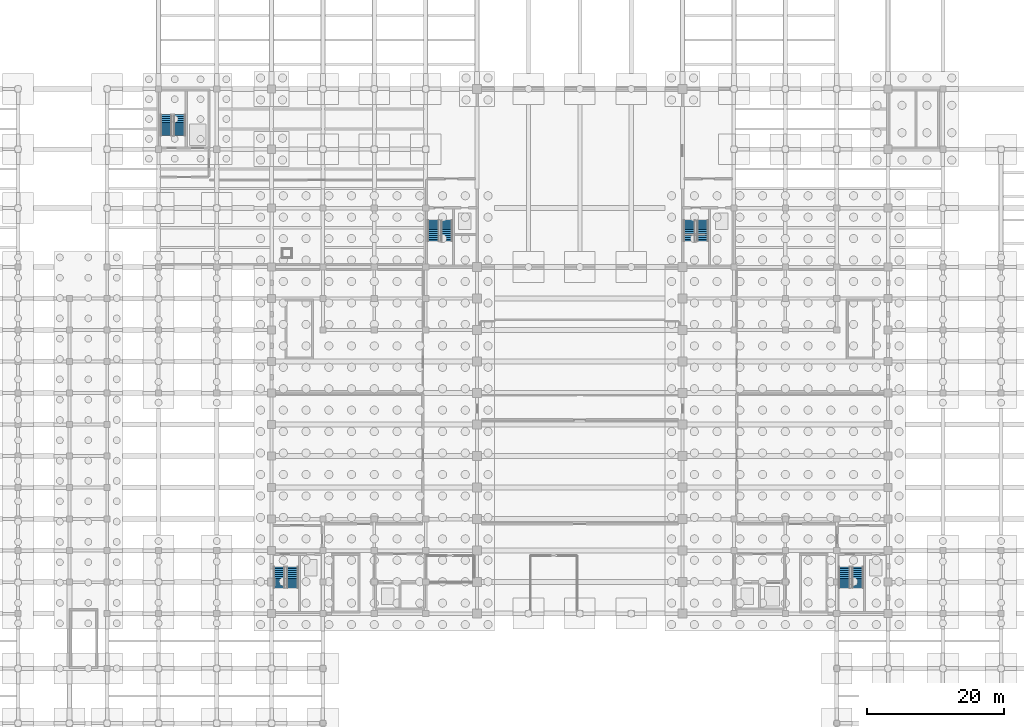
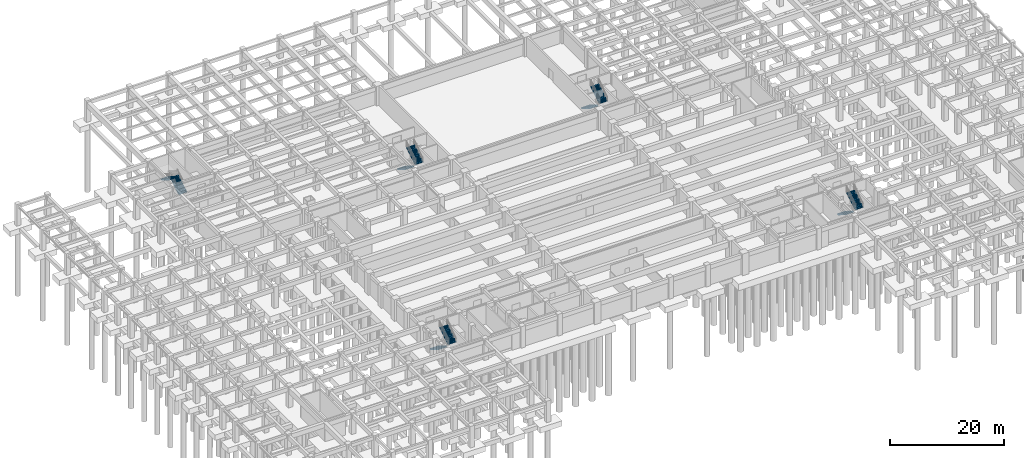
# One storey, part 27 of 32: 10 stair flights, 5 elements without a shape of their own.
"""IFC4 building model written with IfcOpenShell, lengths in metres."""

from ifc_helpers import new_model, si_unit, direction, frame, origin, place, context, subcontext, project, spatial, polyline, outline, extrude, material, type_object, element, aggregate, save


model = new_model("IFC4")

# Units and contexts
model_context = context("Model", 3, precision=1e-05, world=origin(), true_north=direction((0.0, 1.0)))
body_context = subcontext(model_context, "Body", "Model", "MODEL_VIEW")
ifc_project = project(units=[si_unit("LENGTHUNIT", "METRE"), si_unit("AREAUNIT", "SQUARE_METRE"), si_unit("VOLUMEUNIT", "CUBIC_METRE"), si_unit("PLANEANGLEUNIT", "RADIAN"), si_unit("MASSUNIT", "GRAM", prefix="KILO")], contexts=[model_context])

# Site, building, storey
site_placement = place(None, origin())
site = spatial("IfcSite", under=ifc_project, at=site_placement, CompositionType="ELEMENT")
building_placement = place(site_placement, origin())
building = spatial("IfcBuilding", under=site, at=building_placement, Name="Muzn Square Opera House", CompositionType="ELEMENT")
storey_placement = place(building_placement, frame((0.0, 0.0, -4.199951171875)))
storey = spatial("IfcBuildingStorey", under=building, at=storey_placement, Name="B1", CompositionType="ELEMENT", Elevation=-4.199951171875)

# Stair, stair flights
ifc_material = material(Name="Concrete C40/50", Category="concrete")
stair_type = type_object("IfcStairType", Name="Core Escape Dogleg Stair", PredefinedType="HALF_TURN_STAIR", material=ifc_material)
stair_1_placement = place(storey_placement, origin())
stair_1 = element("IfcStair", 1, at=stair_1_placement, inside=storey, type_object=stair_type, Name="B1 Escape Stair ST-1", PredefinedType="HALF_TURN_STAIR")
stair_flight_type = type_object("IfcStairFlightType", Name="Core Stair Flight 1660mm", PredefinedType="STRAIGHT", material=ifc_material)
stair_flight_1_placement = place(storey_placement, frame((66.6298828125, 79.43994140625, 0.0), z_axis=(0.0, 0.0, 1.0), x_axis=(0.0, -1.0, 0.0)))
stair_flight_1 = element("IfcStairFlight", 2, at=stair_flight_1_placement, type_object=stair_flight_type, Name="ST-1 flight 1", NumberOfRisers=12, NumberOfTreads=11, PredefinedType="STRAIGHT", RiserHeight=0.175, TreadLength=0.28, context=body_context, shape_type="SweptSolid", body=[
    extrude(outline(polyline([(0.0, 0.0), (0.0, 0.175048828125), (0.280029296875, 0.175048828125), (0.280029296875, 0.35009765625), (0.56005859375, 0.35009765625), (0.56005859375, 0.52490234375), (0.840087890625, 0.52490234375), (0.840087890625, 0.699951171875), (1.1201171875, 0.699951171875), (1.1201171875, 0.875), (1.39990234375, 0.875), (1.39990234375, 1.050048828125), (1.679931640625, 1.050048828125), (1.679931640625, 1.22509765625), (1.9599609375, 1.22509765625), (1.9599609375, 1.39990234375), (2.239990234375, 1.39990234375), (2.239990234375, 1.574951171875), (2.52001953125, 1.574951171875), (2.52001953125, 1.75), (2.800048828125, 1.75), (2.800048828125, 1.925048828125), (3.080078125, 1.925048828125), (3.080078125, 2.10009765625), (3.080078125, 1.712890625), (0.339599609375, 0.0), (0.0, 0.0)])), frame((0.0, 0.830078125, 0.0), z_axis=(0.0, -1.0, 0.0), x_axis=(1.0, 0.0, 0.0)), (0.0, 0.0, 1.0), 1.659912109375),
])
stair_flight_2_placement = place(storey_placement, frame((68.570068359375, 76.360107421875, 2.099853515625), z_axis=(0.0, 0.0, 1.0), x_axis=(0.0, 1.0, 0.0)))
stair_flight_2 = element("IfcStairFlight", 3, at=stair_flight_2_placement, type_object=stair_flight_type, Name="ST-1 flight 2", NumberOfRisers=12, NumberOfTreads=11, PredefinedType="STRAIGHT", RiserHeight=0.175, TreadLength=0.28, context=body_context, shape_type="SweptSolid", body=[
    extrude(outline(polyline([(0.0, 0.0), (0.0, 0.175048828125), (0.280029296875, 0.175048828125), (0.280029296875, 0.35009765625), (0.56005859375, 0.35009765625), (0.56005859375, 0.52490234375), (0.840087890625, 0.52490234375), (0.840087890625, 0.699951171875), (1.1201171875, 0.699951171875), (1.1201171875, 0.875), (1.39990234375, 0.875), (1.39990234375, 1.050048828125), (1.679931640625, 1.050048828125), (1.679931640625, 1.22509765625), (1.9599609375, 1.22509765625), (1.9599609375, 1.39990234375), (2.239990234375, 1.39990234375), (2.239990234375, 1.574951171875), (2.52001953125, 1.574951171875), (2.52001953125, 1.75), (2.800048828125, 1.75), (2.800048828125, 1.925048828125), (3.080078125, 1.925048828125), (3.080078125, 2.10009765625), (3.080078125, 1.712890625), (0.339599609375, 0.0), (0.0, 0.0)])), frame((0.0, 0.830078125, 0.0), z_axis=(0.0, -1.0, 0.0), x_axis=(1.0, 0.0, 0.0)), (0.0, 0.0, 1.0), 1.659912109375),
])
aggregate(stair_1, [stair_flight_1, stair_flight_2])

stair_2_placement = place(storey_placement, origin())
stair_2 = element("IfcStair", 4, at=stair_2_placement, inside=storey, type_object=stair_type, Name="B1 Escape Stair ST-2", PredefinedType="HALF_TURN_STAIR")
stair_flight_3_placement = place(storey_placement, frame((104.0, 79.43994140625, 0.0), z_axis=(0.0, 0.0, 1.0), x_axis=(0.0, -1.0, 0.0)))
stair_flight_3 = element("IfcStairFlight", 5, at=stair_flight_3_placement, type_object=stair_flight_type, Name="ST-2 flight 1", NumberOfRisers=12, NumberOfTreads=11, PredefinedType="STRAIGHT", RiserHeight=0.175, TreadLength=0.28, context=body_context, shape_type="SweptSolid", body=[
    extrude(outline(polyline([(0.0, 0.0), (0.0, 0.175048828125), (0.280029296875, 0.175048828125), (0.280029296875, 0.35009765625), (0.56005859375, 0.35009765625), (0.56005859375, 0.52490234375), (0.840087890625, 0.52490234375), (0.840087890625, 0.699951171875), (1.1201171875, 0.699951171875), (1.1201171875, 0.875), (1.39990234375, 0.875), (1.39990234375, 1.050048828125), (1.679931640625, 1.050048828125), (1.679931640625, 1.22509765625), (1.9599609375, 1.22509765625), (1.9599609375, 1.39990234375), (2.239990234375, 1.39990234375), (2.239990234375, 1.574951171875), (2.52001953125, 1.574951171875), (2.52001953125, 1.75), (2.800048828125, 1.75), (2.800048828125, 1.925048828125), (3.080078125, 1.925048828125), (3.080078125, 2.10009765625), (3.080078125, 1.712890625), (0.339599609375, 0.0), (0.0, 0.0)])), frame((0.0, 0.830078125, 0.0), z_axis=(0.0, -1.0, 0.0), x_axis=(1.0, 0.0, 0.0)), (0.0, 0.0, 1.0), 1.659912109375),
])
stair_flight_4_placement = place(storey_placement, frame((105.93994140625, 76.360107421875, 2.099853515625), z_axis=(0.0, 0.0, 1.0), x_axis=(0.0, 1.0, 0.0)))
stair_flight_4 = element("IfcStairFlight", 6, at=stair_flight_4_placement, type_object=stair_flight_type, Name="ST-2 flight 2", NumberOfRisers=12, NumberOfTreads=11, PredefinedType="STRAIGHT", RiserHeight=0.175, TreadLength=0.28, context=body_context, shape_type="SweptSolid", body=[
    extrude(outline(polyline([(0.0, 0.0), (0.0, 0.175048828125), (0.280029296875, 0.175048828125), (0.280029296875, 0.35009765625), (0.56005859375, 0.35009765625), (0.56005859375, 0.52490234375), (0.840087890625, 0.52490234375), (0.840087890625, 0.699951171875), (1.1201171875, 0.699951171875), (1.1201171875, 0.875), (1.39990234375, 0.875), (1.39990234375, 1.050048828125), (1.679931640625, 1.050048828125), (1.679931640625, 1.22509765625), (1.9599609375, 1.22509765625), (1.9599609375, 1.39990234375), (2.239990234375, 1.39990234375), (2.239990234375, 1.574951171875), (2.52001953125, 1.574951171875), (2.52001953125, 1.75), (2.800048828125, 1.75), (2.800048828125, 1.925048828125), (3.080078125, 1.925048828125), (3.080078125, 2.10009765625), (3.080078125, 1.712890625), (0.339599609375, 0.0), (0.0, 0.0)])), frame((0.0, 0.830078125, 0.0), z_axis=(0.0, -1.0, 0.0), x_axis=(1.0, 0.0, 0.0)), (0.0, 0.0, 1.0), 1.659912109375),
])
aggregate(stair_2, [stair_flight_3, stair_flight_4])

stair_3_placement = place(storey_placement, origin())
stair_3 = element("IfcStair", 7, at=stair_3_placement, inside=storey, type_object=stair_type, Name="B1 Escape Stair ST-3", PredefinedType="HALF_TURN_STAIR")
stair_flight_5_placement = place(storey_placement, frame((44.1298828125, 28.840087890625, 0.0), z_axis=(0.0, 0.0, 1.0), x_axis=(0.0, -1.0, 0.0)))
stair_flight_5 = element("IfcStairFlight", 8, at=stair_flight_5_placement, type_object=stair_flight_type, Name="ST-3 flight 1", NumberOfRisers=12, NumberOfTreads=11, PredefinedType="STRAIGHT", RiserHeight=0.175, TreadLength=0.28, context=body_context, shape_type="SweptSolid", body=[
    extrude(outline(polyline([(0.0, 0.0), (0.0, 0.175048828125), (0.280029296875, 0.175048828125), (0.280029296875, 0.35009765625), (0.56005859375, 0.35009765625), (0.56005859375, 0.52490234375), (0.840087890625, 0.52490234375), (0.840087890625, 0.699951171875), (1.1201171875, 0.699951171875), (1.1201171875, 0.875), (1.39990234375, 0.875), (1.39990234375, 1.050048828125), (1.679931640625, 1.050048828125), (1.679931640625, 1.22509765625), (1.9599609375, 1.22509765625), (1.9599609375, 1.39990234375), (2.239990234375, 1.39990234375), (2.239990234375, 1.574951171875), (2.52001953125, 1.574951171875), (2.52001953125, 1.75), (2.800048828125, 1.75), (2.800048828125, 1.925048828125), (3.080078125, 1.925048828125), (3.080078125, 2.10009765625), (3.080078125, 1.712890625), (0.339599609375, 0.0), (0.0, 0.0)])), frame((0.0, 0.830078125, 0.0), z_axis=(0.0, -1.0, 0.0), x_axis=(1.0, 0.0, 0.0)), (0.0, 0.0, 1.0), 1.659912109375),
])
stair_flight_6_placement = place(storey_placement, frame((46.070068359375, 25.760009765625, 2.099853515625), z_axis=(0.0, 0.0, 1.0), x_axis=(0.0, 1.0, 0.0)))
stair_flight_6 = element("IfcStairFlight", 9, at=stair_flight_6_placement, type_object=stair_flight_type, Name="ST-3 flight 2", NumberOfRisers=12, NumberOfTreads=11, PredefinedType="STRAIGHT", RiserHeight=0.175, TreadLength=0.28, context=body_context, shape_type="SweptSolid", body=[
    extrude(outline(polyline([(0.0, 0.0), (0.0, 0.175048828125), (0.280029296875, 0.175048828125), (0.280029296875, 0.35009765625), (0.56005859375, 0.35009765625), (0.56005859375, 0.52490234375), (0.840087890625, 0.52490234375), (0.840087890625, 0.699951171875), (1.1201171875, 0.699951171875), (1.1201171875, 0.875), (1.39990234375, 0.875), (1.39990234375, 1.050048828125), (1.679931640625, 1.050048828125), (1.679931640625, 1.22509765625), (1.9599609375, 1.22509765625), (1.9599609375, 1.39990234375), (2.239990234375, 1.39990234375), (2.239990234375, 1.574951171875), (2.52001953125, 1.574951171875), (2.52001953125, 1.75), (2.800048828125, 1.75), (2.800048828125, 1.925048828125), (3.080078125, 1.925048828125), (3.080078125, 2.10009765625), (3.080078125, 1.712890625), (0.339599609375, 0.0), (0.0, 0.0)])), frame((0.0, 0.830078125, 0.0), z_axis=(0.0, -1.0, 0.0), x_axis=(1.0, 0.0, 0.0)), (0.0, 0.0, 1.0), 1.659912109375),
])
aggregate(stair_3, [stair_flight_5, stair_flight_6])

stair_4_placement = place(storey_placement, origin())
stair_4 = element("IfcStair", 10, at=stair_4_placement, inside=storey, type_object=stair_type, Name="B1 Escape Stair ST-4", PredefinedType="HALF_TURN_STAIR")
stair_flight_7_placement = place(storey_placement, frame((126.6298828125, 28.840087890625, 0.0), z_axis=(0.0, 0.0, 1.0), x_axis=(0.0, -1.0, 0.0)))
stair_flight_7 = element("IfcStairFlight", 11, at=stair_flight_7_placement, type_object=stair_flight_type, Name="ST-4 flight 1", NumberOfRisers=12, NumberOfTreads=11, PredefinedType="STRAIGHT", RiserHeight=0.175, TreadLength=0.28, context=body_context, shape_type="SweptSolid", body=[
    extrude(outline(polyline([(0.0, 0.0), (0.0, 0.175048828125), (0.280029296875, 0.175048828125), (0.280029296875, 0.35009765625), (0.56005859375, 0.35009765625), (0.56005859375, 0.52490234375), (0.840087890625, 0.52490234375), (0.840087890625, 0.699951171875), (1.1201171875, 0.699951171875), (1.1201171875, 0.875), (1.39990234375, 0.875), (1.39990234375, 1.050048828125), (1.679931640625, 1.050048828125), (1.679931640625, 1.22509765625), (1.9599609375, 1.22509765625), (1.9599609375, 1.39990234375), (2.239990234375, 1.39990234375), (2.239990234375, 1.574951171875), (2.52001953125, 1.574951171875), (2.52001953125, 1.75), (2.800048828125, 1.75), (2.800048828125, 1.925048828125), (3.080078125, 1.925048828125), (3.080078125, 2.10009765625), (3.080078125, 1.712890625), (0.339599609375, 0.0), (0.0, 0.0)])), frame((0.0, 0.830078125, 0.0), z_axis=(0.0, -1.0, 0.0), x_axis=(1.0, 0.0, 0.0)), (0.0, 0.0, 1.0), 1.659912109375),
])
stair_flight_8_placement = place(storey_placement, frame((128.570068359375, 25.760009765625, 2.099853515625), z_axis=(0.0, 0.0, 1.0), x_axis=(0.0, 1.0, 0.0)))
stair_flight_8 = element("IfcStairFlight", 12, at=stair_flight_8_placement, type_object=stair_flight_type, Name="ST-4 flight 2", NumberOfRisers=12, NumberOfTreads=11, PredefinedType="STRAIGHT", RiserHeight=0.175, TreadLength=0.28, context=body_context, shape_type="SweptSolid", body=[
    extrude(outline(polyline([(0.0, 0.0), (0.0, 0.175048828125), (0.280029296875, 0.175048828125), (0.280029296875, 0.35009765625), (0.56005859375, 0.35009765625), (0.56005859375, 0.52490234375), (0.840087890625, 0.52490234375), (0.840087890625, 0.699951171875), (1.1201171875, 0.699951171875), (1.1201171875, 0.875), (1.39990234375, 0.875), (1.39990234375, 1.050048828125), (1.679931640625, 1.050048828125), (1.679931640625, 1.22509765625), (1.9599609375, 1.22509765625), (1.9599609375, 1.39990234375), (2.239990234375, 1.39990234375), (2.239990234375, 1.574951171875), (2.52001953125, 1.574951171875), (2.52001953125, 1.75), (2.800048828125, 1.75), (2.800048828125, 1.925048828125), (3.080078125, 1.925048828125), (3.080078125, 2.10009765625), (3.080078125, 1.712890625), (0.339599609375, 0.0), (0.0, 0.0)])), frame((0.0, 0.830078125, 0.0), z_axis=(0.0, -1.0, 0.0), x_axis=(1.0, 0.0, 0.0)), (0.0, 0.0, 1.0), 1.659912109375),
])
aggregate(stair_4, [stair_flight_7, stair_flight_8])

stair_5_placement = place(storey_placement, origin())
stair_5 = element("IfcStair", 13, at=stair_5_placement, inside=storey, type_object=stair_type, Name="B1 Escape Stair ST-6", PredefinedType="HALF_TURN_STAIR")
stair_flight_9_placement = place(storey_placement, frame((29.570068359375, 91.760009765625, 0.0), z_axis=(0.0, 0.0, 1.0), x_axis=(0.0, 1.0, 0.0)))
stair_flight_9 = element("IfcStairFlight", 14, at=stair_flight_9_placement, type_object=stair_flight_type, Name="ST-6 flight 1", NumberOfRisers=12, NumberOfTreads=11, PredefinedType="STRAIGHT", RiserHeight=0.175, TreadLength=0.28, context=body_context, shape_type="SweptSolid", body=[
    extrude(outline(polyline([(0.0, 0.0), (0.0, 0.175048828125), (0.280029296875, 0.175048828125), (0.280029296875, 0.35009765625), (0.56005859375, 0.35009765625), (0.56005859375, 0.52490234375), (0.840087890625, 0.52490234375), (0.840087890625, 0.699951171875), (1.1201171875, 0.699951171875), (1.1201171875, 0.875), (1.39990234375, 0.875), (1.39990234375, 1.050048828125), (1.679931640625, 1.050048828125), (1.679931640625, 1.22509765625), (1.9599609375, 1.22509765625), (1.9599609375, 1.39990234375), (2.239990234375, 1.39990234375), (2.239990234375, 1.574951171875), (2.52001953125, 1.574951171875), (2.52001953125, 1.75), (2.800048828125, 1.75), (2.800048828125, 1.925048828125), (3.080078125, 1.925048828125), (3.080078125, 2.10009765625), (3.080078125, 1.712890625), (0.339599609375, 0.0), (0.0, 0.0)])), frame((0.0, 0.830078125, 0.0), z_axis=(0.0, -1.0, 0.0), x_axis=(1.0, 0.0, 0.0)), (0.0, 0.0, 1.0), 1.659912109375),
])
stair_flight_10_placement = place(storey_placement, frame((27.6298828125, 94.840087890625, 2.099853515625), z_axis=(0.0, 0.0, 1.0), x_axis=(0.0, -1.0, 0.0)))
stair_flight_10 = element("IfcStairFlight", 15, at=stair_flight_10_placement, type_object=stair_flight_type, Name="ST-6 flight 2", NumberOfRisers=12, NumberOfTreads=11, PredefinedType="STRAIGHT", RiserHeight=0.175, TreadLength=0.28, context=body_context, shape_type="SweptSolid", body=[
    extrude(outline(polyline([(0.0, 0.0), (0.0, 0.175048828125), (0.280029296875, 0.175048828125), (0.280029296875, 0.35009765625), (0.56005859375, 0.35009765625), (0.56005859375, 0.52490234375), (0.840087890625, 0.52490234375), (0.840087890625, 0.699951171875), (1.1201171875, 0.699951171875), (1.1201171875, 0.875), (1.39990234375, 0.875), (1.39990234375, 1.050048828125), (1.679931640625, 1.050048828125), (1.679931640625, 1.22509765625), (1.9599609375, 1.22509765625), (1.9599609375, 1.39990234375), (2.239990234375, 1.39990234375), (2.239990234375, 1.574951171875), (2.52001953125, 1.574951171875), (2.52001953125, 1.75), (2.800048828125, 1.75), (2.800048828125, 1.925048828125), (3.080078125, 1.925048828125), (3.080078125, 2.10009765625), (3.080078125, 1.712890625), (0.339599609375, 0.0), (0.0, 0.0)])), frame((0.0, 0.830078125, 0.0), z_axis=(0.0, -1.0, 0.0), x_axis=(1.0, 0.0, 0.0)), (0.0, 0.0, 1.0), 1.659912109375),
])
aggregate(stair_5, [stair_flight_9, stair_flight_10])

save(model, "model.ifc")
